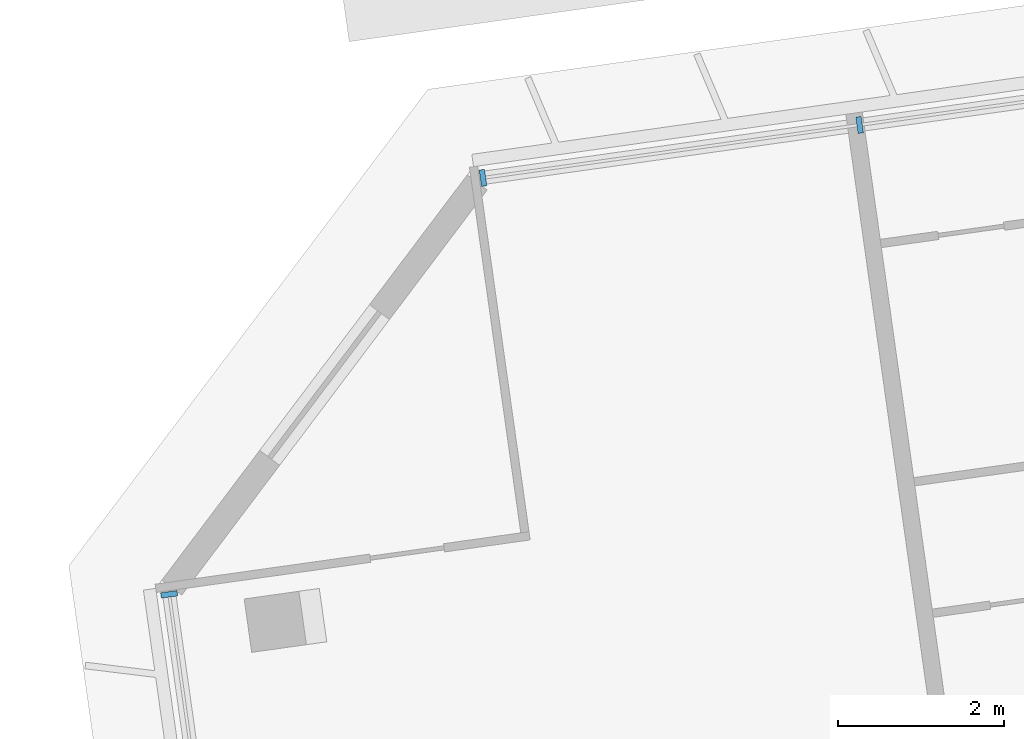
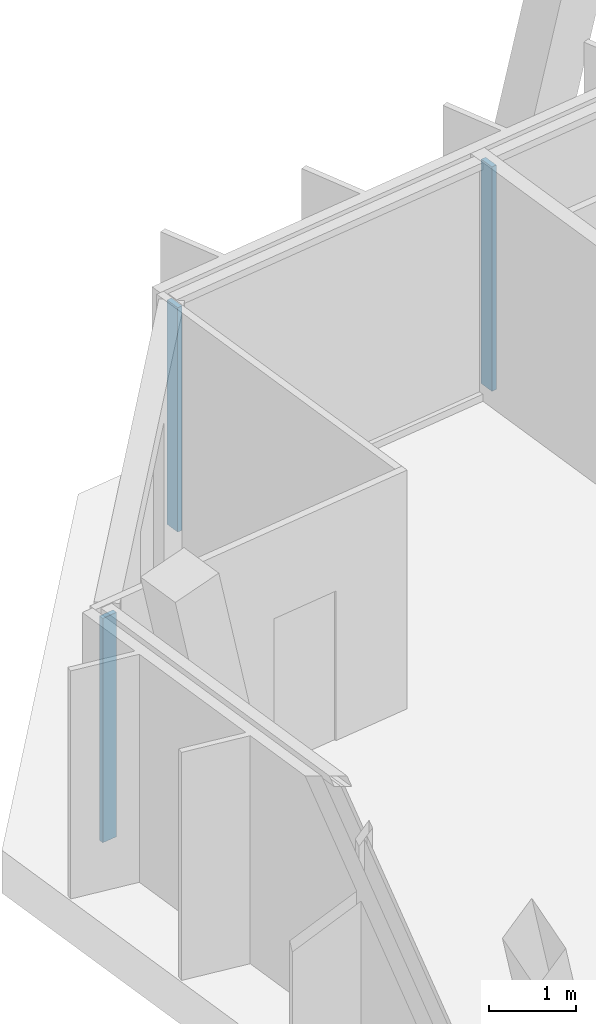
# One storey, part 13 of 28: 3 members, 2 elements without a shape of their own.
"""IFC4 building model written with IfcOpenShell, lengths in metres."""

from ifc_helpers import new_model, si_unit, direction, frame, origin, origin_2d, place, context, subcontext, project, spatial, rectangle, extrude, material, material_profile, profile_set, type_object, element, aggregate, save


model = new_model("IFC4")

# Units and contexts
model_context = context("Model", 3, precision=1e-05, world=origin(), true_north=direction((0.0, 1.0)))
body_context = subcontext(model_context, "Body", "Model", "MODEL_VIEW")
ifc_project = project(units=[si_unit("LENGTHUNIT", "METRE"), si_unit("AREAUNIT", "SQUARE_METRE"), si_unit("VOLUMEUNIT", "CUBIC_METRE"), si_unit("PLANEANGLEUNIT", "RADIAN"), si_unit("MASSUNIT", "GRAM", prefix="KILO")], contexts=[model_context])

# Site, building, storey
site_placement = place(None, origin())
site = spatial("IfcSite", under=ifc_project, at=site_placement, CompositionType="ELEMENT")
building_placement = place(site_placement, origin())
building = spatial("IfcBuilding", under=site, at=building_placement, Name="Mirante Cascada Hotel Towers", CompositionType="ELEMENT")
storey_placement = place(building_placement, frame((0.0, 0.0, 243.2)))
storey = spatial("IfcBuildingStorey", under=building, at=storey_placement, Name="L58", CompositionType="ELEMENT", Elevation=243.2)

# Curtain wall, members
ifc_material_1 = material(Name="Aluminium mullion and transom frame with clear laminated glass", Category="aluminium")
curtain_wall_type_1 = type_object("IfcCurtainWallType", Name="Ribbon curtain wall ECW1", PredefinedType="NOTDEFINED", material=ifc_material_1)
curtain_wall_1_placement = place(storey_placement, origin())
curtain_wall_1 = element("IfcCurtainWall", 1, at=curtain_wall_1_placement, inside=storey, type_object=curtain_wall_type_1, Name="Front ribbon wall T2 L58", PredefinedType="NOTDEFINED")
ifc_material_2 = material(Name="Anodised aluminium extrusion", Category="aluminium")
ifc_material_profile_1 = material_profile(ifc_material_2, rectangle(XDim=0.2, YDim=0.065, at=origin_2d()), Name="ECW1 MULLION 65x200")
ifc_profile_set_1 = profile_set([ifc_material_profile_1], Name="Anodised aluminium extrusion")
member_type_1 = type_object("IfcMemberType", Name="ECW1 mullion 65x200", PredefinedType="MULLION", material=ifc_profile_set_1)
member_1_placement = place(storey_placement, frame((26.5129, 16.5452, 0.1), z_axis=(0.0, 0.0, 1.0), x_axis=(0.1391731, -0.9902681, 0.0)))
member_1 = element("IfcMember", 2, at=member_1_placement, type_object=member_type_1, Name="ECW1 mullion 8", PredefinedType="MULLION", context=body_context, shape_type="SweptSolid", body=[
    extrude(rectangle(XDim=0.2, YDim=0.065, at=origin_2d()), origin(), (0.0, 0.0, 1.0), 3.15),
])
member_2_placement = place(storey_placement, frame((21.9742, 15.9073, 0.1), z_axis=(0.0, 0.0, 1.0), x_axis=(0.1391731, -0.9902681, 0.0)))
member_2 = element("IfcMember", 3, at=member_2_placement, type_object=member_type_1, Name="ECW1 mullion 9", PredefinedType="MULLION", context=body_context, shape_type="SweptSolid", body=[
    extrude(rectangle(XDim=0.2, YDim=0.065, at=origin_2d()), origin(), (0.0, 0.0, 1.0), 3.15),
])
aggregate(curtain_wall_1, [member_1, member_2])

# Curtain wall, member
ifc_material_3 = material(Name="Aluminium mullion and transom frame with clear laminated glass", Category="aluminium")
curtain_wall_type_2 = type_object("IfcCurtainWallType", Name="End ribbon curtain wall ECW2", PredefinedType="NOTDEFINED", material=ifc_material_3)
curtain_wall_2_placement = place(storey_placement, origin())
curtain_wall_2 = element("IfcCurtainWall", 4, at=curtain_wall_2_placement, inside=storey, type_object=curtain_wall_type_2, Name="Inner end wall T2 L58", PredefinedType="NOTDEFINED")
ifc_material_4 = material(Name="Anodised aluminium extrusion", Category="aluminium")
ifc_material_profile_2 = material_profile(ifc_material_4, rectangle(XDim=0.2, YDim=0.065, at=origin_2d()), Name="ECW2 MULLION 65x200")
ifc_profile_set_2 = profile_set([ifc_material_profile_2], Name="Anodised aluminium extrusion")
member_type_2 = type_object("IfcMemberType", Name="ECW2 mullion 65x200", PredefinedType="MULLION", material=ifc_profile_set_2)
member_3_placement = place(storey_placement, frame((18.1914, 10.8874, 0.1), z_axis=(0.0, 0.0, 1.0), x_axis=(0.9902681, 0.1391731, 0.0)))
member_3 = element("IfcMember", 5, at=member_3_placement, type_object=member_type_2, Name="ECW2 mullion 1", PredefinedType="MULLION", context=body_context, shape_type="SweptSolid", body=[
    extrude(rectangle(XDim=0.2, YDim=0.065, at=origin_2d()), origin(), (0.0, 0.0, 1.0), 3.15),
])
aggregate(curtain_wall_2, [member_3])

save(model, "model.ifc")
